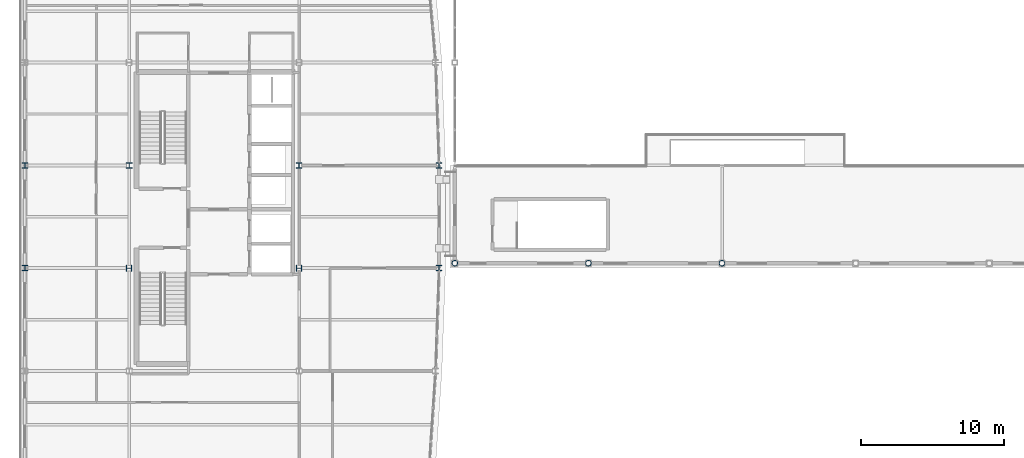
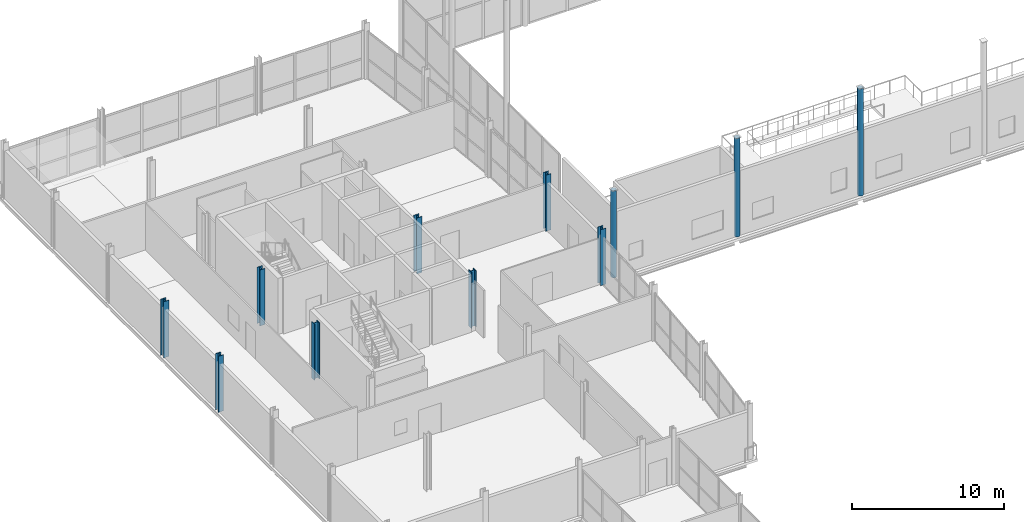
# One storey, part 3 of 77: 11 columns.
"""IFC4 building model written with IfcOpenShell, lengths in metres."""

from ifc_helpers import new_model, si_unit, direction, frame, origin, origin_2d, place, context, subcontext, project, spatial, hollow_circle, i_section, extrude, material, material_profile, profile_set, type_object, element, save


model = new_model("IFC4")

# Units and contexts
model_context = context("Model", 3, precision=1e-05, world=origin(), true_north=direction((0.0, 1.0)))
body_context = subcontext(model_context, "Body", "Model", "MODEL_VIEW")
ifc_project = project(units=[si_unit("LENGTHUNIT", "METRE"), si_unit("AREAUNIT", "SQUARE_METRE"), si_unit("VOLUMEUNIT", "CUBIC_METRE"), si_unit("PLANEANGLEUNIT", "RADIAN"), si_unit("MASSUNIT", "GRAM", prefix="KILO")], contexts=[model_context])

# Site, building, storey
site_placement = place(None, origin())
site = spatial("IfcSite", under=ifc_project, at=site_placement, CompositionType="ELEMENT")
building_placement = place(site_placement, origin())
building = spatial("IfcBuilding", under=site, at=building_placement, Name="Quillay Park Conservatory", CompositionType="ELEMENT")
storey_placement = place(building_placement, frame((0.0, 0.0, 5.39990234375)))
storey = spatial("IfcBuildingStorey", under=building, at=storey_placement, Name="L01", CompositionType="ELEMENT", Elevation=5.39990234375)

# Columns
ifc_material_1 = material(Name="Steel S355J2H", Category="steel")
ifc_material_profile_1 = material_profile(ifc_material_1, hollow_circle(Radius=0.203125, WallThickness=0.01611328125, at=origin_2d()), Name="CHS406.4x16")
ifc_profile_set_1 = profile_set([ifc_material_profile_1], Name="Steel S355J2H")
column_type_1 = type_object("IfcColumnType", Name="COMPOSITE STEEL COLUMN CHS406", PredefinedType="COLUMN", material=ifc_profile_set_1)
column_1_placement = place(storey_placement, frame((30.64990234375, 85.550048828125, 0.0), z_axis=(0.0, 0.0, 1.0), x_axis=(1.0, 0.0, 0.0)))
element("IfcColumn", 1, at=column_1_placement, inside=storey, type_object=column_type_1, Name="L01 column COL-V1-L01-0-0", PredefinedType="COLUMN", context=body_context, shape_type="SweptSolid", body=[
    extrude(hollow_circle(Radius=0.203125, WallThickness=0.01611328125, at=origin_2d()), origin(), (0.0, 0.0, 1.0), 6.966064453125),
])
column_2_placement = place(storey_placement, frame((40.005615234375, 85.550048828125, 0.0), z_axis=(0.0, 0.0, 1.0), x_axis=(1.0, 0.0, 0.0)))
element("IfcColumn", 2, at=column_2_placement, inside=storey, type_object=column_type_1, Name="L01 column COL-V1-L01-1-0", PredefinedType="COLUMN", context=body_context, shape_type="SweptSolid", body=[
    extrude(hollow_circle(Radius=0.203125, WallThickness=0.01611328125, at=origin_2d()), origin(), (0.0, 0.0, 1.0), 7.899658203125),
])
column_3_placement = place(storey_placement, frame((49.361083984375, 85.550048828125, 0.0), z_axis=(0.0, 0.0, 1.0), x_axis=(1.0, 0.0, 0.0)))
element("IfcColumn", 3, at=column_3_placement, inside=storey, type_object=column_type_1, Name="L01 column COL-V1-L01-2-0", PredefinedType="COLUMN", context=body_context, shape_type="SweptSolid", body=[
    extrude(hollow_circle(Radius=0.203125, WallThickness=0.01611328125, at=origin_2d()), origin(), (0.0, 0.0, 1.0), 8.598876953125),
])
ifc_material_2 = material(Name="Steel ASTM A992 Grade 50", Category="steel")
ifc_material_profile_2 = material_profile(ifc_material_2, i_section(OverallWidth=0.39892578125, OverallDepth=0.39306640625, WebThickness=0.022705078125, FlangeThickness=0.0361328125, FilletRadius=0.014892578125, at=origin_2d()), Name="W360x287")
ifc_profile_set_2 = profile_set([ifc_material_profile_2], Name="Steel ASTM A992 Grade 50")
column_type_2 = type_object("IfcColumnType", Name="COMPOSITE STEEL COLUMN W360 X287", PredefinedType="COLUMN", material=ifc_profile_set_2)
for number, where, z_axis, x_axis, name in (
    (4, (0.550048828125, 85.199951171875, 0.0), (0.0, 0.0, 1.0), (1.0, 0.0, 0.0), "L01 column COL-V4-L01-3-0"),
    (5, (7.85009765625, 85.199951171875, 0.0), (0.0, 0.0, 1.0), (0.0, 1.0, 0.0), "L01 column COL-V4-L01-3-1"),
    (6, (19.75, 85.199951171875, 0.0), (0.0, 0.0, 1.0), (0.0, 1.0, 0.0), "L01 column COL-V4-L01-3-2"),
    (7, (29.550048828125, 85.199951171875, 0.0), (0.0, 0.0, 1.0), (1.0, 0.0, 0.0), "L01 column COL-V4-L01-3-3"),
    (8, (0.550048828125, 92.39990234375, 0.0), (0.0, 0.0, 1.0), (1.0, 0.0, 0.0), "L01 column COL-V4-L01-4-0"),
    (9, (7.85009765625, 92.39990234375, 0.0), (0.0, 0.0, 1.0), (1.0, 0.0, 0.0), "L01 column COL-V4-L01-4-1"),
    (10, (19.75, 92.39990234375, 0.0), (0.0, 0.0, 1.0), (1.0, 0.0, 0.0), "L01 column COL-V4-L01-4-2"),
    (11, (29.550048828125, 92.39990234375, 0.0), (0.0, 0.0, 1.0), (1.0, 0.0, 0.0), "L01 column COL-V4-L01-4-3"),
):
    element("IfcColumn", number, at=place(storey_placement, frame(where, z_axis=z_axis, x_axis=x_axis)), inside=storey, type_object=column_type_2, Name=name, PredefinedType="COLUMN", context=body_context, shape_type="SweptSolid", body=[
        extrude(i_section(OverallWidth=0.39892578125, OverallDepth=0.39306640625, WebThickness=0.022705078125, FlangeThickness=0.0361328125, FilletRadius=0.014892578125, at=origin_2d()), origin(), (0.0, 0.0, 1.0), 4.5),
    ])

save(model, "model.ifc")
